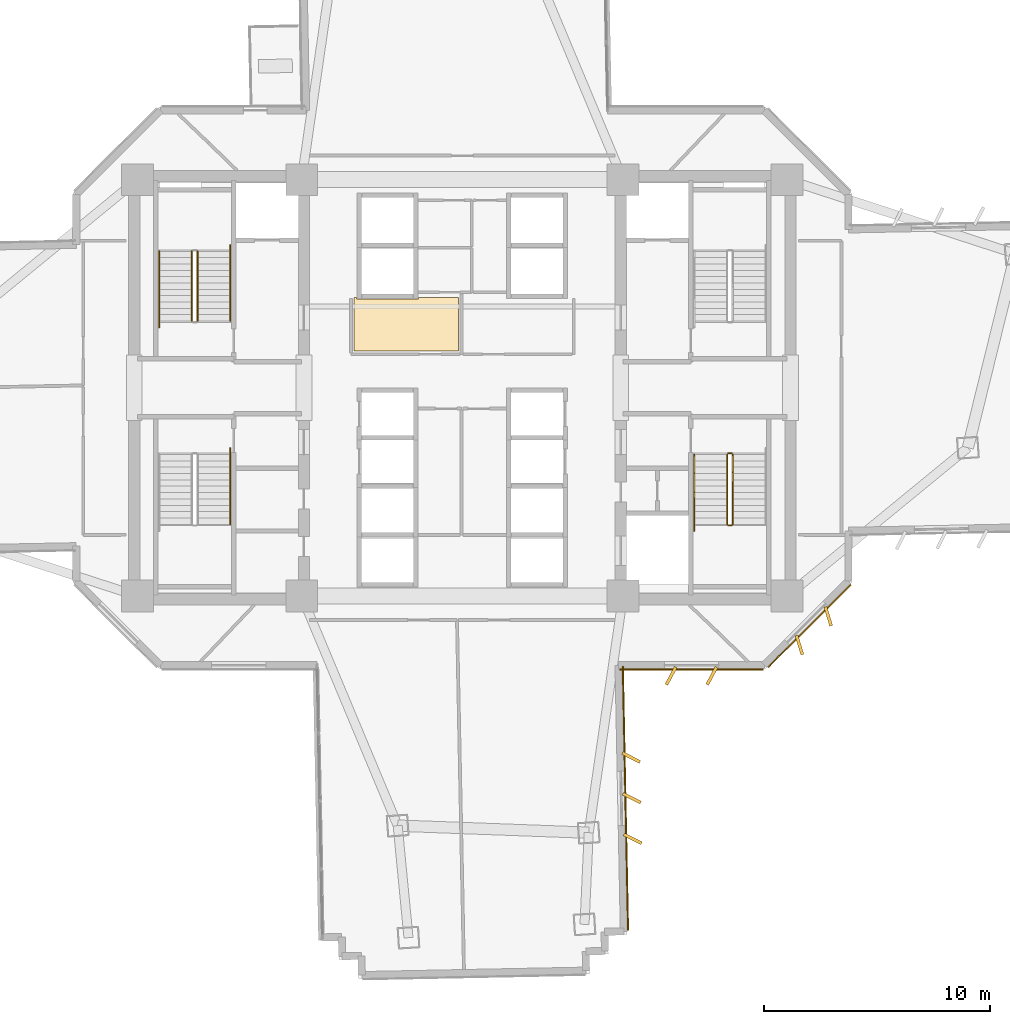
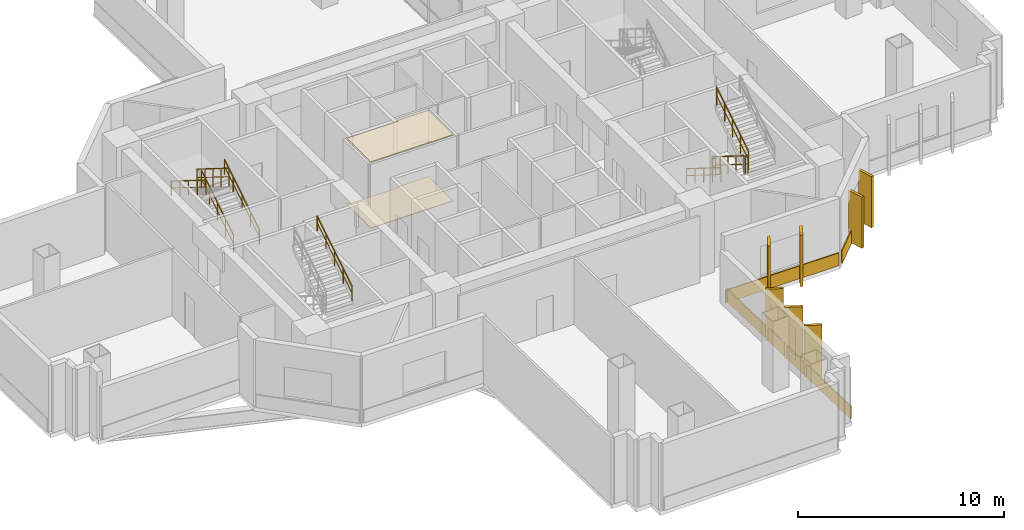
# One storey, part 12 of 15: 12 coverings, 10 railings.
"""IFC4 building model written with IfcOpenShell, lengths in metres."""

from ifc_helpers import new_model, si_unit, direction, frame, origin, origin_2d, place, context, subcontext, project, spatial, polyline, rectangle, outline, extrude, source, transform, mapped, material, layer, layer_set, type_object, element, save


model = new_model("IFC4")

# Units and contexts
model_context = context("Model", 3, precision=1e-05, world=origin(), true_north=direction((0.0, 1.0)))
body_context = subcontext(model_context, "Body", "Model", "MODEL_VIEW")
ifc_project = project(units=[si_unit("LENGTHUNIT", "METRE"), si_unit("AREAUNIT", "SQUARE_METRE"), si_unit("VOLUMEUNIT", "CUBIC_METRE"), si_unit("PLANEANGLEUNIT", "RADIAN"), si_unit("MASSUNIT", "GRAM", prefix="KILO")], contexts=[model_context])

# Site, building, storey
site_placement = place(None, origin())
site = spatial("IfcSite", under=ifc_project, at=site_placement, CompositionType="ELEMENT")
building_placement = place(site_placement, origin())
building = spatial("IfcBuilding", under=site, at=building_placement, Name="Zahravan Cultural Tower", CompositionType="ELEMENT")
storey_placement = place(building_placement, frame((0.0, 0.0, 45.89990234375)))
storey = spatial("IfcBuildingStorey", under=building, at=storey_placement, Name="L09", CompositionType="ELEMENT", Elevation=45.89990234375)

# Coverings
ifc_material_1 = material(Name="Acoustic mineral fibreboard")
ifc_layer_1 = layer(ifc_material_1, 0.0400390625)
ifc_layer_set_1 = layer_set([ifc_layer_1], Name="Acoustic mineral fibreboard")
covering_type_1 = type_object("IfcCoveringType", Name="COV-CEIL-AC20", PredefinedType="CEILING", material=ifc_layer_set_1)
covering_1_placement = place(storey_placement, frame((0.0, 0.0, 3.91015625)))
element("IfcCovering", 1, at=covering_1_placement, inside=storey, type_object=covering_type_1, Name="L09 Acoustic Suspended Ceiling", PredefinedType="CEILING", context=body_context, shape_type="SweptSolid", body=[
    extrude(outline(polyline([(31.219970703125, 31.0), (31.219970703125, 28.6201171875), (35.830078125, 28.6201171875), (35.830078125, 31.0), (34.070068359375, 31.0), (34.070068359375, 30.929931640625), (31.330078125, 30.929931640625), (31.330078125, 31.0), (31.219970703125, 31.0)])), origin(), (0.0, 0.0, 1.0), 0.0400390625),
])
ifc_material_2 = material(Name="Terrazzo flooring")
ifc_layer_2 = layer(ifc_material_2, 0.02490234375)
ifc_layer_set_2 = layer_set([ifc_layer_2], Name="Terrazzo flooring")
covering_type_2 = type_object("IfcCoveringType", Name="COV-FLR-TZ25", PredefinedType="FLOORING", material=ifc_layer_set_2)
covering_2_placement = place(storey_placement, origin())
element("IfcCovering", 2, at=covering_2_placement, inside=storey, type_object=covering_type_2, Name="L09 Polished Terrazzo Flooring", PredefinedType="FLOORING", context=body_context, shape_type="SweptSolid", body=[
    extrude(outline(polyline([(31.219970703125, 31.0), (31.219970703125, 28.6201171875), (35.830078125, 28.6201171875), (35.830078125, 31.0), (34.070068359375, 31.0), (34.070068359375, 30.929931640625), (31.330078125, 30.929931640625), (31.330078125, 31.0), (31.219970703125, 31.0)])), origin(), (0.0, 0.0, 1.0), 0.025146484375),
])

# Railings
ifc_material_3 = material(Name="Steel ASTM A572 Grade 50", Category="steel")
railing_type_1 = type_object("IfcRailingType", Name="RL-STAIR-GRD1150", PredefinedType="BALUSTRADE", material=ifc_material_3)
railing_1_placement = place(storey_placement, frame((24.300048828125, 29.949951171875, 0.175048828125)))
element("IfcRailing", 3, at=railing_1_placement, inside=storey, type_object=railing_type_1, Name="L09 ST-W1 stair guard 1", PredefinedType="BALUSTRADE", context=body_context, shape_type="SweptSolid", body=[
    extrude(rectangle(XDim=0.05, YDim=0.05, at=origin_2d()), frame((0.0, 0.0, 1.0751953125), z_axis=(0.0, 0.847998304005, 0.529998940003), x_axis=(-1.0, 0.0, 0.0)), (0.0, 0.0, 1.0), 3.632080078125),
    extrude(rectangle(XDim=0.032, YDim=0.032, at=origin_2d()), frame((0.0, 0.0, 0.572021484375), z_axis=(0.0, 0.847998304005, 0.529998940003), x_axis=(-1.0, 0.0, 0.0)), (0.0, 0.0, 1.0), 3.632080078125),
    extrude(rectangle(XDim=0.04, YDim=0.04, at=origin_2d()), origin(), (0.0, 0.0, 1.0), 1.10009765625),
    extrude(rectangle(XDim=0.04, YDim=0.04, at=origin_2d()), frame((0.0, 0.77001953125, 0.481201171875)), (0.0, 0.0, 1.0), 1.10009765625),
    extrude(rectangle(XDim=0.04, YDim=0.04, at=origin_2d()), frame((0.0, 1.5400390625, 0.96240234375)), (0.0, 0.0, 1.0), 1.10009765625),
    extrude(rectangle(XDim=0.04, YDim=0.04, at=origin_2d()), frame((0.0, 2.31005859375, 1.44384765625)), (0.0, 0.0, 1.0), 1.10009765625),
    extrude(rectangle(XDim=0.04, YDim=0.04, at=origin_2d()), frame((0.0, 3.080078125, 1.925048828125)), (0.0, 0.0, 1.0), 1.10009765625),
])
for number, where, name in (
    (4, (24.050048828125, 33.030029296875, 2.275146484375), "L09 ST-W1 stair guard 3"),
    (5, (47.699951171875, 24.050048828125, 0.175048828125), "L09 ST-E2 stair guard 1"),
):
    element("IfcRailing", number, at=place(storey_placement, frame(where)), inside=storey, type_object=railing_type_1, Name=name, PredefinedType="BALUSTRADE", context=body_context, shape_type="SweptSolid", body=[
        extrude(rectangle(XDim=0.05, YDim=0.05, at=origin_2d()), frame((0.0, 0.0, 1.0751953125), z_axis=(0.0, -0.847998304005, 0.529998940003), x_axis=(1.0, 0.0, 0.0)), (0.0, 0.0, 1.0), 3.632080078125),
        extrude(rectangle(XDim=0.032, YDim=0.032, at=origin_2d()), frame((0.0, 0.0, 0.572021484375), z_axis=(0.0, -0.847998304005, 0.529998940003), x_axis=(1.0, 0.0, 0.0)), (0.0, 0.0, 1.0), 3.632080078125),
        extrude(rectangle(XDim=0.04, YDim=0.04, at=origin_2d()), origin(), (0.0, 0.0, 1.0), 1.10009765625),
        extrude(rectangle(XDim=0.04, YDim=0.04, at=origin_2d()), frame((0.0, -0.77001953125, 0.481201171875)), (0.0, 0.0, 1.0), 1.10009765625),
        extrude(rectangle(XDim=0.04, YDim=0.04, at=origin_2d()), frame((0.0, -1.5400390625, 0.96240234375)), (0.0, 0.0, 1.0), 1.10009765625),
        extrude(rectangle(XDim=0.04, YDim=0.04, at=origin_2d()), frame((0.0, -2.31005859375, 1.44384765625)), (0.0, 0.0, 1.0), 1.10009765625),
        extrude(rectangle(XDim=0.04, YDim=0.04, at=origin_2d()), frame((0.0, -3.080078125, 1.925048828125)), (0.0, 0.0, 1.0), 1.10009765625),
    ])
railing_2_placement = place(storey_placement, frame((47.75, 20.919921875, 2.10009765625)))
element("IfcRailing", 6, at=railing_2_placement, inside=storey, type_object=railing_type_1, Name="L09 ST-E2 stair guard 2", PredefinedType="BALUSTRADE", context=body_context, shape_type="SweptSolid", body=[
    extrude(rectangle(XDim=0.05, YDim=0.05, at=origin_2d()), frame((0.0, 0.0, 1.0751953125), z_axis=(1.0, 0.0, 0.0), x_axis=(0.0, 1.0, 0.0)), (0.0, 0.0, 1.0), 0.14990234375),
    extrude(rectangle(XDim=0.032, YDim=0.032, at=origin_2d()), frame((0.0, 0.0, 0.572021484375), z_axis=(1.0, 0.0, 0.0), x_axis=(0.0, 1.0, 0.0)), (0.0, 0.0, 1.0), 0.14990234375),
    extrude(rectangle(XDim=0.04, YDim=0.04, at=origin_2d()), origin(), (0.0, 0.0, 1.0), 1.10009765625),
    extrude(rectangle(XDim=0.04, YDim=0.04, at=origin_2d()), frame((0.14990234375, 0.0, 0.0)), (0.0, 0.0, 1.0), 1.10009765625),
])
railing_3_placement = place(storey_placement, frame((47.949951171875, 20.969970703125, 2.275146484375)))
element("IfcRailing", 7, at=railing_3_placement, inside=storey, type_object=railing_type_1, Name="L09 ST-E2 stair guard 3", PredefinedType="BALUSTRADE", context=body_context, shape_type="SweptSolid", body=[
    extrude(rectangle(XDim=0.05, YDim=0.05, at=origin_2d()), frame((0.0, 0.0, 1.0751953125), z_axis=(0.0, 0.847998304005, 0.529998940003), x_axis=(-1.0, 0.0, 0.0)), (0.0, 0.0, 1.0), 3.632080078125),
    extrude(rectangle(XDim=0.032, YDim=0.032, at=origin_2d()), frame((0.0, 0.0, 0.572021484375), z_axis=(0.0, 0.847998304005, 0.529998940003), x_axis=(-1.0, 0.0, 0.0)), (0.0, 0.0, 1.0), 3.632080078125),
    extrude(rectangle(XDim=0.04, YDim=0.04, at=origin_2d()), origin(), (0.0, 0.0, 1.0), 1.10009765625),
    extrude(rectangle(XDim=0.04, YDim=0.04, at=origin_2d()), frame((0.0, 0.77001953125, 0.481201171875)), (0.0, 0.0, 1.0), 1.10009765625),
    extrude(rectangle(XDim=0.04, YDim=0.04, at=origin_2d()), frame((0.0, 1.5400390625, 0.96240234375)), (0.0, 0.0, 1.0), 1.10009765625),
    extrude(rectangle(XDim=0.04, YDim=0.04, at=origin_2d()), frame((0.0, 2.31005859375, 1.44384765625)), (0.0, 0.0, 1.0), 1.10009765625),
    extrude(rectangle(XDim=0.04, YDim=0.04, at=origin_2d()), frame((0.0, 3.080078125, 1.925048828125)), (0.0, 0.0, 1.0), 1.10009765625),
])
railing_4_placement = place(storey_placement, frame((47.75, 24.10009765625, 0.0)))
element("IfcRailing", 8, at=railing_4_placement, inside=storey, type_object=railing_type_1, Name="L09 ST-E2 stair guard 4", PredefinedType="BALUSTRADE", context=body_context, shape_type="SweptSolid", body=[
    extrude(rectangle(XDim=0.05, YDim=0.05, at=origin_2d()), frame((0.0, 0.0, 1.0751953125), z_axis=(1.0, 0.0, 0.0), x_axis=(0.0, 1.0, 0.0)), (0.0, 0.0, 1.0), 0.14990234375),
    extrude(rectangle(XDim=0.032, YDim=0.032, at=origin_2d()), frame((0.0, 0.0, 0.572021484375), z_axis=(1.0, 0.0, 0.0), x_axis=(0.0, 1.0, 0.0)), (0.0, 0.0, 1.0), 0.14990234375),
    extrude(rectangle(XDim=0.04, YDim=0.04, at=origin_2d()), origin(), (0.0, 0.0, 1.0), 1.10009765625),
    extrude(rectangle(XDim=0.04, YDim=0.04, at=origin_2d()), frame((0.14990234375, 0.0, 0.0)), (0.0, 0.0, 1.0), 1.10009765625),
])
railing_type_2 = type_object("IfcRailingType", Name="RL-STAIR-HR900", PredefinedType="HANDRAIL", material=ifc_material_3)
railing_5_placement = place(storey_placement, frame((25.75, 29.949951171875, 0.175048828125)))
element("IfcRailing", 9, at=railing_5_placement, inside=storey, type_object=railing_type_2, Name="L09 ST-W1 stair handrail 1", PredefinedType="HANDRAIL", context=body_context, shape_type="SweptSolid", body=[
    extrude(rectangle(XDim=0.05, YDim=0.05, at=origin_2d()), frame((0.0, 0.0, 0.875), z_axis=(0.0, 0.847994842521, 0.530004478338), x_axis=(-1.0, 0.0, 0.0)), (0.0, 0.0, 1.0), 3.96240234375),
    extrude(rectangle(XDim=0.032, YDim=0.032, at=origin_2d()), frame((0.0, 0.0, 0.468017578125), z_axis=(0.0, 0.847994842521, 0.530004478338), x_axis=(-1.0, 0.0, 0.0)), (0.0, 0.0, 1.0), 3.96240234375),
    extrude(rectangle(XDim=0.04, YDim=0.04, at=origin_2d()), origin(), (0.0, 0.0, 1.0), 0.89990234375),
    extrude(rectangle(XDim=0.04, YDim=0.04, at=origin_2d()), frame((0.0, 0.840087890625, 0.52490234375)), (0.0, 0.0, 1.0), 0.89990234375),
    extrude(rectangle(XDim=0.04, YDim=0.04, at=origin_2d()), frame((0.0, 1.68017578125, 1.050048828125)), (0.0, 0.0, 1.0), 0.89990234375),
    extrude(rectangle(XDim=0.04, YDim=0.04, at=origin_2d()), frame((0.0, 2.52001953125, 1.5751953125)), (0.0, 0.0, 1.0), 0.89990234375),
    extrude(rectangle(XDim=0.04, YDim=0.04, at=origin_2d()), frame((0.0, 3.360107421875, 2.10009765625)), (0.0, 0.0, 1.0), 0.89990234375),
])
railing_6_placement = place(storey_placement, frame((22.60009765625, 33.030029296875, 2.275146484375)))
element("IfcRailing", 10, at=railing_6_placement, inside=storey, type_object=railing_type_2, Name="L09 ST-W1 stair handrail 2", PredefinedType="HANDRAIL", context=body_context, shape_type="SweptSolid", body=[
    extrude(rectangle(XDim=0.05, YDim=0.05, at=origin_2d()), frame((0.0, 0.0, 0.875), z_axis=(0.0, -0.848022534174, 0.529960169762), x_axis=(1.0, 0.0, 0.0)), (0.0, 0.0, 1.0), 3.96240234375),
    extrude(rectangle(XDim=0.032, YDim=0.032, at=origin_2d()), frame((0.0, 0.0, 0.468017578125), z_axis=(0.0, -0.848022534174, 0.529960169762), x_axis=(1.0, 0.0, 0.0)), (0.0, 0.0, 1.0), 3.96240234375),
    extrude(rectangle(XDim=0.04, YDim=0.04, at=origin_2d()), origin(), (0.0, 0.0, 1.0), 0.89990234375),
    extrude(rectangle(XDim=0.04, YDim=0.04, at=origin_2d()), frame((0.0, -0.840087890625, 0.52490234375)), (0.0, 0.0, 1.0), 0.89990234375),
    extrude(rectangle(XDim=0.04, YDim=0.04, at=origin_2d()), frame((0.0, -1.68017578125, 1.0498046875)), (0.0, 0.0, 1.0), 0.89990234375),
    extrude(rectangle(XDim=0.04, YDim=0.04, at=origin_2d()), frame((0.0, -2.52001953125, 1.574951171875)), (0.0, 0.0, 1.0), 0.89990234375),
    extrude(rectangle(XDim=0.04, YDim=0.04, at=origin_2d()), frame((0.0, -3.360107421875, 2.099853515625)), (0.0, 0.0, 1.0), 0.89990234375),
])
railing_7_placement = place(storey_placement, frame((25.75, 20.969970703125, 2.275146484375)))
element("IfcRailing", 11, at=railing_7_placement, inside=storey, type_object=railing_type_2, Name="L09 ST-W2 stair handrail 2", PredefinedType="HANDRAIL", context=body_context, shape_type="SweptSolid", body=[
    extrude(rectangle(XDim=0.05, YDim=0.05, at=origin_2d()), frame((0.0, 0.0, 0.875), z_axis=(0.0, 0.848022534174, 0.529960169762), x_axis=(-1.0, 0.0, 0.0)), (0.0, 0.0, 1.0), 3.96240234375),
    extrude(rectangle(XDim=0.032, YDim=0.032, at=origin_2d()), frame((0.0, 0.0, 0.468017578125), z_axis=(0.0, 0.848022534174, 0.529960169762), x_axis=(-1.0, 0.0, 0.0)), (0.0, 0.0, 1.0), 3.96240234375),
    extrude(rectangle(XDim=0.04, YDim=0.04, at=origin_2d()), origin(), (0.0, 0.0, 1.0), 0.89990234375),
    extrude(rectangle(XDim=0.04, YDim=0.04, at=origin_2d()), frame((0.0, 0.840087890625, 0.52490234375)), (0.0, 0.0, 1.0), 0.89990234375),
    extrude(rectangle(XDim=0.04, YDim=0.04, at=origin_2d()), frame((0.0, 1.68017578125, 1.0498046875)), (0.0, 0.0, 1.0), 0.89990234375),
    extrude(rectangle(XDim=0.04, YDim=0.04, at=origin_2d()), frame((0.0, 2.52001953125, 1.574951171875)), (0.0, 0.0, 1.0), 0.89990234375),
    extrude(rectangle(XDim=0.04, YDim=0.04, at=origin_2d()), frame((0.0, 3.360107421875, 2.099853515625)), (0.0, 0.0, 1.0), 0.89990234375),
])
railing_8_placement = place(storey_placement, frame((46.25, 24.050048828125, 0.175048828125)))
element("IfcRailing", 12, at=railing_8_placement, inside=storey, type_object=railing_type_2, Name="L09 ST-E2 stair handrail 1", PredefinedType="HANDRAIL", context=body_context, shape_type="SweptSolid", body=[
    extrude(rectangle(XDim=0.05, YDim=0.05, at=origin_2d()), frame((0.0, 0.0, 0.875), z_axis=(0.0, -0.847994842521, 0.530004478338), x_axis=(1.0, 0.0, 0.0)), (0.0, 0.0, 1.0), 3.96240234375),
    extrude(rectangle(XDim=0.032, YDim=0.032, at=origin_2d()), frame((0.0, 0.0, 0.468017578125), z_axis=(0.0, -0.847994842521, 0.530004478338), x_axis=(1.0, 0.0, 0.0)), (0.0, 0.0, 1.0), 3.96240234375),
    extrude(rectangle(XDim=0.04, YDim=0.04, at=origin_2d()), origin(), (0.0, 0.0, 1.0), 0.89990234375),
    extrude(rectangle(XDim=0.04, YDim=0.04, at=origin_2d()), frame((0.0, -0.840087890625, 0.52490234375)), (0.0, 0.0, 1.0), 0.89990234375),
    extrude(rectangle(XDim=0.04, YDim=0.04, at=origin_2d()), frame((0.0, -1.68017578125, 1.050048828125)), (0.0, 0.0, 1.0), 0.89990234375),
    extrude(rectangle(XDim=0.04, YDim=0.04, at=origin_2d()), frame((0.0, -2.52001953125, 1.5751953125)), (0.0, 0.0, 1.0), 0.89990234375),
    extrude(rectangle(XDim=0.04, YDim=0.04, at=origin_2d()), frame((0.0, -3.360107421875, 2.10009765625)), (0.0, 0.0, 1.0), 0.89990234375),
])

# Coverings
ifc_material_4 = material(Name="Terracotta ceramic cladding", Category="masonry")
ifc_layer_3 = layer(ifc_material_4, 0.06005859375)
ifc_layer_set_3 = layer_set([ifc_layer_3], Name="Terracotta ceramic cladding")
covering_type_3 = type_object("IfcCoveringType", Name="COV-CLAD-TC60", PredefinedType="CLADDING", material=ifc_layer_set_3)
shared_shape_1 = source(origin(), body_context, "Body", "SweptSolid", [
    extrude(rectangle(XDim=5.157958984375, YDim=0.06005859375, at=origin_2d()), origin(), (0.0, 0.0, 1.0), 0.760009765625),
])
covering_3_placement = place(storey_placement, frame((51.331787109375, 16.46826171875, 0.02001953125), z_axis=(0.0, 0.0, 1.0), x_axis=(-0.707106781187, -0.707106781187, 0.0)))
element("IfcCovering", 13, at=covering_3_placement, inside=storey, type_object=covering_type_3, Name="L09 Terracotta Spandrel Cladding 13", PredefinedType="CLADDING", context=body_context, shape_type="MappedRepresentation", body=[
    mapped(shared_shape_1, transform((0.0, 0.0, 0.0), x_axis=(1.0, 0.0, 0.0), y_axis=(0.0, 1.0, 0.0), z_axis=(0.0, 0.0, 1.0), scale=1.0)),
])
shared_shape_2 = source(origin(), body_context, "Body", "SweptSolid", [
    extrude(rectangle(XDim=0.8798828125, YDim=0.139892578125, at=origin_2d()), origin(), (0.0, 0.0, 1.0), 3.030029296875),
])
for number, where, z_axis, x_axis, name in (
    (14, (52.169677734375, 16.903076171875, 0.05029296875), (0.0, 0.0, 1.0), (0.292371704723, -0.956304755963, 0.0), "L09 Herringbone Terracotta Fin 10"),
    (15, (50.89697265625, 15.63037109375, 0.05029296875), (0.0, 0.0, 1.0), (0.292371704723, -0.956304755963, 0.0), "L09 Herringbone Terracotta Fin 11"),
    (16, (47.023681640625, 14.27001953125, 0.05029296875), (0.0, 0.0, 1.0), (-0.469471562786, -0.882947592859, 0.0), "L09 Herringbone Terracotta Fin 12"),
    (17, (45.2236328125, 14.27001953125, 0.05029296875), (0.0, 0.0, 1.0), (-0.469471562786, -0.882947592859, 0.0), "L09 Herringbone Terracotta Fin 13"),
    (18, (43.456298828125, 10.66748046875, 0.05029296875), (0.0, 0.0, 1.0), (0.892113171267, -0.451812006981, 0.0), "L09 Herringbone Terracotta Fin 14"),
    (19, (43.4921875, 8.867919921875, 0.05029296875), (0.0, 0.0, 1.0), (0.892113171267, -0.451812006981, 0.0), "L09 Herringbone Terracotta Fin 15"),
    (20, (43.528076171875, 7.068359375, 0.05029296875), (0.0, 0.0, 1.0), (0.892113171267, -0.451812006981, 0.0), "L09 Herringbone Terracotta Fin 16"),
):
    element("IfcCovering", number, at=place(storey_placement, frame(where, z_axis=z_axis, x_axis=x_axis)), inside=storey, type_object=covering_type_3, Name=name, PredefinedType="CLADDING", context=body_context, shape_type="MappedRepresentation", body=[
        mapped(shared_shape_2, transform((0.0, 0.0, 0.0), x_axis=(1.0, 0.0, 0.0), y_axis=(0.0, 1.0, 0.0), z_axis=(0.0, 0.0, 1.0), scale=1.0)),
    ])
shared_shape_3 = source(origin(), body_context, "Body", "SweptSolid", [
    extrude(rectangle(XDim=6.336669921875, YDim=0.06005859375, at=origin_2d()), origin(), (0.0, 0.0, 1.0), 0.760009765625),
])
covering_4_placement = place(storey_placement, frame((46.12353515625, 14.554931640625, 0.02001953125), z_axis=(0.0, 0.0, 1.0), x_axis=(-1.0, 0.0, 0.0)))
element("IfcCovering", 21, at=covering_4_placement, inside=storey, type_object=covering_type_3, Name="L09 Terracotta Spandrel Cladding 14", PredefinedType="CLADDING", context=body_context, shape_type="MappedRepresentation", body=[
    mapped(shared_shape_3, transform((0.0, 0.0, 0.0), x_axis=(1.0, 0.0, 0.0), y_axis=(0.0, 1.0, 0.0), z_axis=(0.0, 0.0, 1.0), scale=1.0)),
])
shared_shape_4 = source(origin(), body_context, "Body", "SweptSolid", [
    extrude(rectangle(XDim=11.6650390625, YDim=0.06005859375, at=origin_2d()), origin(), (0.0, 0.0, 1.0), 0.760009765625),
])
covering_5_placement = place(storey_placement, frame((43.207275390625, 8.8623046875, 0.02001953125), z_axis=(0.0, 0.0, 1.0), x_axis=(0.019895440708, -0.999802066131, 0.0)))
element("IfcCovering", 22, at=covering_5_placement, inside=storey, type_object=covering_type_3, Name="L09 Terracotta Spandrel Cladding 15", PredefinedType="CLADDING", context=body_context, shape_type="MappedRepresentation", body=[
    mapped(shared_shape_4, transform((0.0, 0.0, 0.0), x_axis=(1.0, 0.0, 0.0), y_axis=(0.0, 1.0, 0.0), z_axis=(0.0, 0.0, 1.0), scale=1.0)),
])

save(model, "model.ifc")
